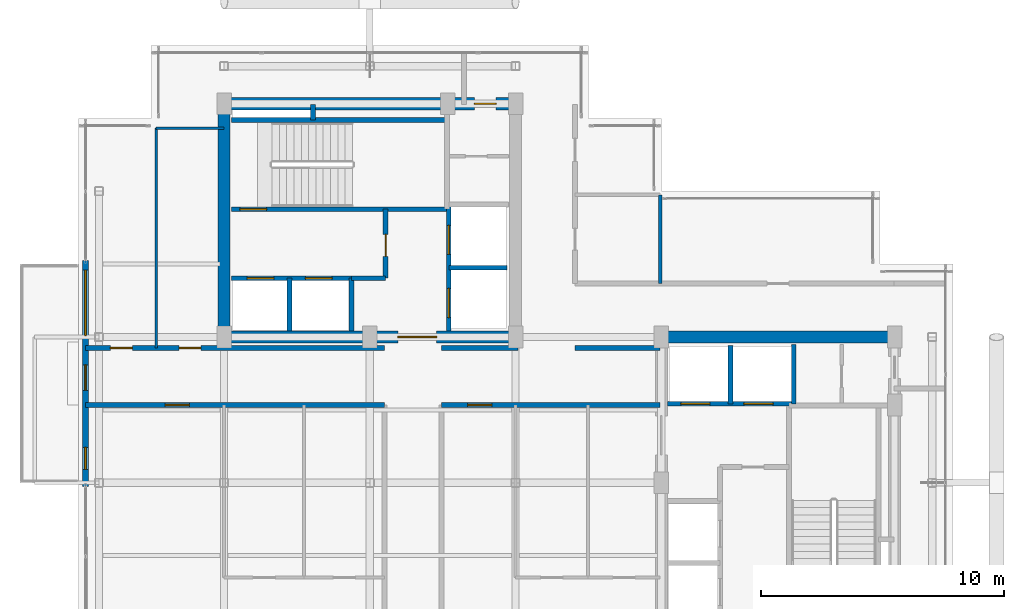
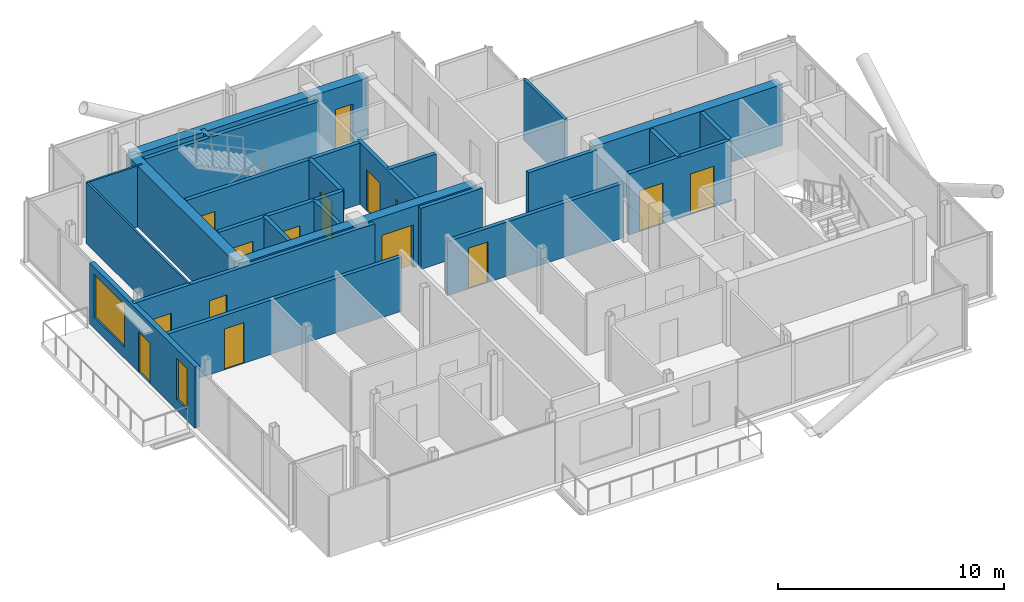
# One storey, part 15 of 18: 26 walls, 15 doors, 2 windows, 17 openings.
"""IFC4 building model written with IfcOpenShell, lengths in metres."""

from ifc_helpers import new_model, si_unit, direction, frame, frame_2d, origin, place, context, subcontext, project, spatial, rectangle, extrude, material, layer, layer_set, type_object, element, fill, save


model = new_model("IFC4")

# Units and contexts
model_context = context("Model", 3, precision=1e-05, world=origin(), true_north=direction((0.0, 1.0)))
body_context = subcontext(model_context, "Body", "Model", "MODEL_VIEW")
ifc_project = project(units=[si_unit("LENGTHUNIT", "METRE"), si_unit("AREAUNIT", "SQUARE_METRE"), si_unit("VOLUMEUNIT", "CUBIC_METRE"), si_unit("PLANEANGLEUNIT", "RADIAN"), si_unit("MASSUNIT", "GRAM", prefix="KILO"), si_unit("THERMODYNAMICTEMPERATUREUNIT", "KELVIN"), si_unit("POWERUNIT", "WATT")], contexts=[model_context])

# Site, building, storey
site_placement = place(None, origin())
site = spatial("IfcSite", under=ifc_project, at=site_placement, CompositionType="ELEMENT")
building_placement = place(site_placement, origin())
building = spatial("IfcBuilding", under=site, at=building_placement, Name="Svarakhadi Broadcast Tower", CompositionType="ELEMENT")
storey_placement = place(building_placement, frame((0.0, 0.0, 253.699951171875)))
storey = spatial("IfcBuildingStorey", under=building, at=storey_placement, Name="L63", CompositionType="ELEMENT", Elevation=253.699951171875)

# Wall, openings, door, windows
ifc_material_1 = material(Name="Concrete C40/50 (IS 456 M50)", Category="concrete")
ifc_layer_1 = layer(ifc_material_1, 0.239990234375)
ifc_layer_set_1 = layer_set([ifc_layer_1], Name="Concrete C40/50 (IS 456 M50)")
wall_type_1 = type_object("IfcWallType", Name="Wall_Ext_240", PredefinedType="SOLIDWALL", material=ifc_layer_set_1)
wall_1_placement = place(storey_placement, frame((0.300048828125, 11.85498046875, 0.0), z_axis=(0.0, 0.0, 1.0), x_axis=(0.0, 1.0, 0.0)))
wall_1 = element("IfcWall", 1, at=wall_1_placement, inside=storey, type_object=wall_type_1, Name="L63 West Tree Balcony Spandrel Wall", PredefinedType="SOLIDWALL", context=body_context, shape_type="SweptSolid", body=[
    extrude(rectangle(XDim=9.2900390625, YDim=0.239990234375, at=frame_2d((4.64501953125, 0.0))), origin(), (0.0, 0.0, 1.0), 3.300048828125),
])
opening_1_placement = place(wall_1_placement, frame((3.945068359375, 0.0, 0.0)))
opening_1 = element("IfcOpeningElement", 2, at=opening_1_placement, cuts=wall_1, Name="Opening ED-06", PredefinedType="OPENING", context=body_context, shape_type="SweptSolid", body=[
    extrude(rectangle(XDim=1.050048828125, YDim=2.199951171875, at=frame_2d((0.52490234375, 1.10009765625))), frame((0.0, 0.1298828125, 0.0), z_axis=(0.0, -1.0, 0.0), x_axis=(1.0, 0.0, 0.0)), (0.0, 0.0, 1.0), 0.260009765625),
])
opening_2_placement = place(wall_1_placement, frame((6.199951171875, 0.0, 0.60009765625)))
opening_2 = element("IfcOpeningElement", 3, at=opening_2_placement, cuts=wall_1, Name="Opening WN-07", PredefinedType="OPENING", context=body_context, shape_type="SweptSolid", body=[
    extrude(rectangle(XDim=2.699951171875, YDim=2.300048828125, at=frame_2d((1.35009765625, 1.14990234375))), frame((0.0, 0.1298828125, 0.0), z_axis=(0.0, -1.0, 0.0), x_axis=(1.0, 0.0, 0.0)), (0.0, 0.0, 1.0), 0.260009765625),
])
opening_3_placement = place(wall_1_placement, frame((0.699951171875, 0.0, 0.60009765625)))
opening_3 = element("IfcOpeningElement", 4, at=opening_3_placement, cuts=wall_1, Name="Opening WN-04", PredefinedType="OPENING", context=body_context, shape_type="SweptSolid", body=[
    extrude(rectangle(XDim=0.89990234375, YDim=2.199951171875, at=frame_2d((0.449951171875, 1.10009765625))), frame((0.0, 0.1298828125, 0.0), z_axis=(0.0, -1.0, 0.0), x_axis=(1.0, 0.0, 0.0)), (0.0, 0.0, 1.0), 0.260009765625),
])
ifc_material_2 = material(Name="Anodised Bronze Aluminium AA 6063-T6", Category="aluminium")
door_type_1 = type_object("IfcDoorType", Name="Door_Ext_ED06", OperationType="SINGLE_SWING_RIGHT", PredefinedType="DOOR", material=ifc_material_2)
door_1_placement = place(opening_1_placement, origin())
door_1 = element("IfcDoor", 5, at=door_1_placement, inside=storey, type_object=door_type_1, Name="L63 West Tree Balcony Door", OperationType="SINGLE_SWING_RIGHT", OverallHeight=2.199951171875, OverallWidth=1.050048828125, PredefinedType="DOOR", context=body_context, shape_type="SweptSolid", body=[
    extrude(rectangle(XDim=1.050048828125, YDim=2.199951171875, at=frame_2d((0.52490234375, 1.10009765625))), frame((0.0, 0.02490234375, 0.0), z_axis=(0.0, -1.0, 0.0), x_axis=(1.0, 0.0, 0.0)), (0.0, 0.0, 1.0), 0.050048828125),
])
fill(opening_1, door_1)
ifc_material_3 = material(Name="Double Low-E Laminated Acoustic Glass IGU 36 mm", Category="glass")
window_type_1 = type_object("IfcWindowType", Name="Win_Resi_WN07", PartitioningType="SINGLE_PANEL", PredefinedType="WINDOW", material=ifc_material_3)
window_1_placement = place(opening_2_placement, origin())
window_1 = element("IfcWindow", 6, at=window_1_placement, inside=storey, type_object=window_type_1, Name="L63 West Tree Balcony Window", OverallHeight=2.300048828125, OverallWidth=2.699951171875, PartitioningType="SINGLE_PANEL", PredefinedType="WINDOW", context=body_context, shape_type="SweptSolid", body=[
    extrude(rectangle(XDim=2.699951171875, YDim=2.300048828125, at=frame_2d((1.35009765625, 1.14990234375))), frame((0.0, 0.030029296875, 0.0), z_axis=(0.0, -1.0, 0.0), x_axis=(1.0, 0.0, 0.0)), (0.0, 0.0, 1.0), 0.06005859375),
])
fill(opening_2, window_1)
window_type_2 = type_object("IfcWindowType", Name="Win_Slot_WN04", PartitioningType="SINGLE_PANEL", PredefinedType="WINDOW", material=ifc_material_3)
window_2_placement = place(opening_3_placement, origin())
window_2 = element("IfcWindow", 7, at=window_2_placement, inside=storey, type_object=window_type_2, Name="L63 West Secondary Bedroom Slot Window", OverallHeight=2.199951171875, OverallWidth=0.89990234375, PartitioningType="SINGLE_PANEL", PredefinedType="WINDOW", context=body_context, shape_type="SweptSolid", body=[
    extrude(rectangle(XDim=0.89990234375, YDim=2.199951171875, at=frame_2d((0.449951171875, 1.10009765625))), frame((0.0, 0.030029296875, 0.0), z_axis=(0.0, -1.0, 0.0), x_axis=(1.0, 0.0, 0.0)), (0.0, 0.0, 1.0), 0.06005859375),
])
fill(opening_3, window_2)

# Wall
ifc_layer_2 = layer(ifc_material_1, 0.199951171875)
ifc_layer_set_2 = layer_set([ifc_layer_2], Name="Concrete C40/50 (IS 456 M50)")
wall_type_2 = type_object("IfcWallType", Name="Wall_Fire_200", PredefinedType="SOLIDWALL", material=ifc_layer_set_2)
wall_2_placement = place(storey_placement, frame((9.659912109375, 26.93994140625, 0.0), z_axis=(0.0, 0.0, 1.0), x_axis=(0.0, 1.0, 0.0)))
element("IfcWall", 8, at=wall_2_placement, inside=storey, type_object=wall_type_2, Name="L63 Wet Riser Shaft East Wall", PredefinedType="SOLIDWALL", context=body_context, shape_type="SweptSolid", body=[
    extrude(rectangle(XDim=0.64013671875, YDim=0.199951171875, at=frame_2d((0.320068359375, 0.0))), origin(), (0.0, 0.0, 1.0), 3.300048828125),
])

# Wall, opening, door
wall_3_placement = place(storey_placement, frame((12.60009765625, 15.199951171875, 0.0), z_axis=(0.0, 0.0, 1.0), x_axis=(-1.0, 0.0, 0.0)))
wall_3 = element("IfcWall", 9, at=wall_3_placement, inside=storey, type_object=wall_type_2, Name="L63 Upper Tower Concourse Wall", PredefinedType="SOLIDWALL", context=body_context, shape_type="SweptSolid", body=[
    extrude(rectangle(XDim=12.300048828125, YDim=0.199951171875, at=frame_2d((6.14990234375, 0.0))), origin(), (0.0, 0.0, 1.0), 2.93212890625),
])
opening_4_placement = place(wall_3_placement, frame((8.02490234375, 0.0, 0.0)))
opening_4 = element("IfcOpeningElement", 10, at=opening_4_placement, cuts=wall_3, Name="Opening D-09", PredefinedType="OPENING", context=body_context, shape_type="SweptSolid", body=[
    extrude(rectangle(XDim=1.0, YDim=2.199951171875, at=frame_2d((0.5, 1.10009765625))), frame((0.0, 0.10986328125, 0.0), z_axis=(0.0, -1.0, 0.0), x_axis=(1.0, 0.0, 0.0)), (0.0, 0.0, 1.0), 0.219970703125),
])
ifc_material_4 = material(Name="Solid-Core Teak Veneer Acoustic Timber Leaf", Category="wood")
door_type_2 = type_object("IfcDoorType", Name="Door_Suite_D09", OperationType="SINGLE_SWING_RIGHT", PredefinedType="DOOR", material=ifc_material_4)
door_2_placement = place(opening_4_placement, origin())
door_2 = element("IfcDoor", 11, at=door_2_placement, inside=storey, type_object=door_type_2, Name="L63 Apartment A Entrance Door", OperationType="SINGLE_SWING_RIGHT", OverallHeight=2.199951171875, OverallWidth=1.0, PredefinedType="DOOR", context=body_context, shape_type="SweptSolid", body=[
    extrude(rectangle(XDim=1.0, YDim=2.199951171875, at=frame_2d((0.5, 1.10009765625))), frame((0.0, 0.02490234375, 0.0), z_axis=(0.0, -1.0, 0.0), x_axis=(1.0, 0.0, 0.0)), (0.0, 0.0, 1.0), 0.050048828125),
])
fill(opening_4, door_2)

# Wall, openings, doors
wall_4_placement = place(storey_placement, frame((0.300048828125, 17.550048828125, 0.0), z_axis=(0.0, 0.0, 1.0), x_axis=(1.0, 0.0, 0.0)))
wall_4 = element("IfcWall", 12, at=wall_4_placement, inside=storey, type_object=wall_type_2, Name="L63 Upper Tower Concourse Wall", PredefinedType="SOLIDWALL", context=body_context, shape_type="SweptSolid", body=[
    extrude(rectangle(XDim=12.300048828125, YDim=0.199951171875, at=frame_2d((6.14990234375, 0.0))), origin(), (0.0, 0.0, 1.0), 3.300048828125),
])
opening_5_placement = place(wall_4_placement, frame((1.02490234375, 0.0, 0.0)))
opening_5 = element("IfcOpeningElement", 13, at=opening_5_placement, cuts=wall_4, Name="Opening D-15", PredefinedType="OPENING", context=body_context, shape_type="SweptSolid", body=[
    extrude(rectangle(XDim=0.89990234375, YDim=2.10009765625, at=frame_2d((0.449951171875, 1.050048828125))), frame((0.0, 0.10986328125, 0.0), z_axis=(0.0, -1.0, 0.0), x_axis=(1.0, 0.0, 0.0)), (0.0, 0.0, 1.0), 0.219970703125),
])
opening_6_placement = place(wall_4_placement, frame((3.85009765625, 0.0, 0.0)))
opening_6 = element("IfcOpeningElement", 14, at=opening_6_placement, cuts=wall_4, Name="Opening D-14", PredefinedType="OPENING", context=body_context, shape_type="SweptSolid", body=[
    extrude(rectangle(XDim=0.89990234375, YDim=2.10009765625, at=frame_2d((0.449951171875, 1.050048828125))), frame((0.0, 0.10986328125, 0.0), z_axis=(0.0, -1.0, 0.0), x_axis=(1.0, 0.0, 0.0)), (0.0, 0.0, 1.0), 0.219970703125),
])
door_type_3 = type_object("IfcDoorType", Name="Door_Int_D14", OperationType="SINGLE_SWING_LEFT", PredefinedType="DOOR", material=ifc_material_4)
door_3_placement = place(opening_6_placement, origin())
door_3 = element("IfcDoor", 15, at=door_3_placement, inside=storey, type_object=door_type_3, Name="L63 Residents Catering Kitchen Door", OperationType="SINGLE_SWING_LEFT", OverallHeight=2.10009765625, OverallWidth=0.89990234375, PredefinedType="DOOR", context=body_context, shape_type="SweptSolid", body=[
    extrude(rectangle(XDim=0.89990234375, YDim=2.10009765625, at=frame_2d((0.449951171875, 1.050048828125))), frame((0.0, 0.02490234375, 0.0), z_axis=(0.0, -1.0, 0.0), x_axis=(1.0, 0.0, 0.0)), (0.0, 0.0, 1.0), 0.050048828125),
])
fill(opening_6, door_3)
door_type_4 = type_object("IfcDoorType", Name="Door_Int_D15", OperationType="SINGLE_SWING_RIGHT", PredefinedType="DOOR", material=ifc_material_4)
door_4_placement = place(opening_5_placement, origin())
door_4 = element("IfcDoor", 16, at=door_4_placement, inside=storey, type_object=door_type_4, Name="L63 Residents Private Dining Salon Door", OperationType="SINGLE_SWING_RIGHT", OverallHeight=2.10009765625, OverallWidth=0.89990234375, PredefinedType="DOOR", context=body_context, shape_type="SweptSolid", body=[
    extrude(rectangle(XDim=0.89990234375, YDim=2.10009765625, at=frame_2d((0.449951171875, 1.050048828125))), frame((0.0, 0.02490234375, 0.0), z_axis=(0.0, -1.0, 0.0), x_axis=(1.0, 0.0, 0.0)), (0.0, 0.0, 1.0), 0.050048828125),
])
fill(opening_5, door_4)

# Walls
wall_5_placement = place(storey_placement, frame((14.949951171875, 17.550048828125, 0.0), z_axis=(0.0, 0.0, 1.0), x_axis=(1.0, 0.0, 0.0)))
element("IfcWall", 17, at=wall_5_placement, inside=storey, type_object=wall_type_2, Name="L63 Upper Tower Concourse Wall", PredefinedType="SOLIDWALL", context=body_context, shape_type="SweptSolid", body=[
    extrude(rectangle(XDim=3.150146484375, YDim=0.199951171875, at=frame_2d((1.5751953125, 0.0))), origin(), (0.0, 0.0, 1.0), 3.300048828125),
])
wall_6_placement = place(storey_placement, frame((20.449951171875, 17.550048828125, 0.0), z_axis=(0.0, 0.0, 1.0), x_axis=(1.0, 0.0, 0.0)))
element("IfcWall", 18, at=wall_6_placement, inside=storey, type_object=wall_type_2, Name="L63 Upper Tower Concourse Wall", PredefinedType="SOLIDWALL", context=body_context, shape_type="SweptSolid", body=[
    extrude(rectangle(XDim=3.5, YDim=0.199951171875, at=frame_2d((1.75, 0.0))), origin(), (0.0, 0.0, 1.0), 3.300048828125),
])

# Wall, opening, door
wall_7_placement = place(storey_placement, frame((23.949951171875, 15.199951171875, 0.0), z_axis=(0.0, 0.0, 1.0), x_axis=(-1.0, 0.0, 0.0)))
wall_7 = element("IfcWall", 19, at=wall_7_placement, inside=storey, type_object=wall_type_2, Name="L63 Upper Tower Concourse Wall", PredefinedType="SOLIDWALL", context=body_context, shape_type="SweptSolid", body=[
    extrude(rectangle(XDim=9.0, YDim=0.199951171875, at=frame_2d((4.5, 0.0))), origin(), (0.0, 0.0, 1.0), 2.93212890625),
])
opening_7_placement = place(wall_7_placement, frame((6.925048828125, 0.0, 0.0)))
opening_7 = element("IfcOpeningElement", 20, at=opening_7_placement, cuts=wall_7, Name="Opening D-09", PredefinedType="OPENING", context=body_context, shape_type="SweptSolid", body=[
    extrude(rectangle(XDim=1.0, YDim=2.199951171875, at=frame_2d((0.5, 1.10009765625))), frame((0.0, 0.10986328125, 0.0), z_axis=(0.0, -1.0, 0.0), x_axis=(1.0, 0.0, 0.0)), (0.0, 0.0, 1.0), 0.219970703125),
])
door_5_placement = place(opening_7_placement, origin())
door_5 = element("IfcDoor", 21, at=door_5_placement, inside=storey, type_object=door_type_2, Name="L63 Apartment B Entrance Door", OperationType="SINGLE_SWING_RIGHT", OverallHeight=2.199951171875, OverallWidth=1.0, PredefinedType="DOOR", context=body_context, shape_type="SweptSolid", body=[
    extrude(rectangle(XDim=1.0, YDim=2.199951171875, at=frame_2d((0.5, 1.10009765625))), frame((0.0, 0.02490234375, 0.0), z_axis=(0.0, -1.0, 0.0), x_axis=(1.0, 0.0, 0.0)), (0.0, 0.0, 1.0), 0.050048828125),
])
fill(opening_7, door_5)

# Walls
ifc_material_5 = material(Name="Fire-Rated Moisture-Resistant Gypsum Board Partition", Category="gypsum")
ifc_layer_3 = layer(ifc_material_5, 0.10009765625)
ifc_layer_set_3 = layer_set([ifc_layer_3], Name="Fire-Rated Moisture-Resistant Gypsum Board Partition")
wall_type_3 = type_object("IfcWallType", Name="Wall_Part_100", PredefinedType="PARTITIONING", material=ifc_layer_set_3)
wall_8_placement = place(storey_placement, frame((3.199951171875, 17.550048828125, 0.0), z_axis=(0.0, 0.0, 1.0), x_axis=(0.0, 1.0, 0.0)))
element("IfcWall", 22, at=wall_8_placement, inside=storey, type_object=wall_type_3, Name="L63 Residents Private Dining Salon Wall", PredefinedType="PARTITIONING", context=body_context, shape_type="SweptSolid", body=[
    extrude(rectangle(XDim=9.050048828125, YDim=0.10009765625, at=frame_2d((4.52490234375, 0.0))), origin(), (0.0, 0.0, 1.0), 3.300048828125),
])
wall_9_placement = place(storey_placement, frame((3.199951171875, 26.60009765625, 0.0), z_axis=(0.0, 0.0, 1.0), x_axis=(1.0, 0.0, 0.0)))
element("IfcWall", 23, at=wall_9_placement, inside=storey, type_object=wall_type_3, Name="L63 Residents Catering Kitchen Wall", PredefinedType="PARTITIONING", context=body_context, shape_type="SweptSolid", body=[
    extrude(rectangle(XDim=2.800048828125, YDim=0.10009765625, at=frame_2d((1.39990234375, 0.0))), origin(), (0.0, 0.0, 1.0), 3.300048828125),
])
ifc_material_6 = material(Name="Autoclaved Aerated Concrete Blockwork 150 mm", Category="masonry")
ifc_layer_4 = layer(ifc_material_6, 0.14990234375)
ifc_layer_set_4 = layer_set([ifc_layer_4], Name="Autoclaved Aerated Concrete Blockwork 150 mm")
wall_type_4 = type_object("IfcWallType", Name="Wall_Part_150", PredefinedType="PARTITIONING", material=ifc_layer_set_4)
wall_10_placement = place(storey_placement, frame((23.949951171875, 20.199951171875, 0.0), z_axis=(0.0, 0.0, 1.0), x_axis=(0.0, 1.0, 0.0)))
element("IfcWall", 24, at=wall_10_placement, inside=storey, type_object=wall_type_4, Name="L63 Accessible Visitor Washroom WC Wall", PredefinedType="PARTITIONING", context=body_context, shape_type="SweptSolid", body=[
    extrude(rectangle(XDim=3.650146484375, YDim=0.14990234375, at=frame_2d((1.8251953125, 0.0))), origin(), (0.0, 0.0, 1.0), 3.300048828125),
])

# Wall, opening, door
ifc_material_7 = material(Name="Concrete C50/60 (IS 456 M60)", Category="concrete")
ifc_layer_5 = layer(ifc_material_7, 0.199951171875)
ifc_layer_set_5 = layer_set([ifc_layer_5], Name="Concrete C50/60 (IS 456 M60)")
wall_type_5 = type_object("IfcWallType", Name="Wall_Shear_200", PredefinedType="SHEAR", material=ifc_layer_set_5)
wall_11_placement = place(storey_placement, frame((6.300048828125, 23.260009765625, 0.0), z_axis=(0.0, 0.0, 1.0), x_axis=(1.0, 0.0, 0.0)))
wall_11 = element("IfcWall", 25, at=wall_11_placement, inside=storey, type_object=wall_type_5, Name="L63 Stair ST-01 South RC Shaft Wall", PredefinedType="SHEAR", context=body_context, shape_type="SweptSolid", body=[
    extrude(rectangle(XDim=8.8798828125, YDim=0.199951171875, at=frame_2d((4.43994140625, 0.0))), origin(), (0.0, 0.0, 1.0), 3.300048828125),
])
opening_8_placement = place(wall_11_placement, frame((0.35009765625, 0.0, 0.0)))
opening_8 = element("IfcOpeningElement", 26, at=opening_8_placement, cuts=wall_11, Name="Opening D-01", PredefinedType="OPENING", context=body_context, shape_type="SweptSolid", body=[
    extrude(rectangle(XDim=1.10009765625, YDim=2.199951171875, at=frame_2d((0.550048828125, 1.10009765625))), frame((0.0, 0.10986328125, 0.0), z_axis=(0.0, -1.0, 0.0), x_axis=(1.0, 0.0, 0.0)), (0.0, 0.0, 1.0), 0.219970703125),
])
ifc_material_8 = material(Name="Galvanised Powder-Coated Fire-Rated Steel Leaf", Category="steel")
door_type_5 = type_object("IfcDoorType", Name="Door_Stair_D01", OperationType="SINGLE_SWING_LEFT", PredefinedType="DOOR", material=ifc_material_8)
door_6_placement = place(opening_8_placement, origin())
door_6 = element("IfcDoor", 27, at=door_6_placement, inside=storey, type_object=door_type_5, Name="L63 Protected Exit Stair ST-01 Fire Door", OperationType="SINGLE_SWING_LEFT", OverallHeight=2.199951171875, OverallWidth=1.10009765625, PredefinedType="DOOR", context=body_context, shape_type="SweptSolid", body=[
    extrude(rectangle(XDim=1.10009765625, YDim=2.199951171875, at=frame_2d((0.550048828125, 1.10009765625))), frame((0.0, 0.02490234375, 0.0), z_axis=(0.0, -1.0, 0.0), x_axis=(1.0, 0.0, 0.0)), (0.0, 0.0, 1.0), 0.050048828125),
])
fill(opening_8, door_6)

# Wall
wall_12_placement = place(storey_placement, frame((6.300048828125, 26.93994140625, 0.0), z_axis=(0.0, 0.0, 1.0), x_axis=(1.0, 0.0, 0.0)))
element("IfcWall", 28, at=wall_12_placement, inside=storey, type_object=wall_type_5, Name="L63 Stair ST-01 North RC Shaft Wall", PredefinedType="SHEAR", context=body_context, shape_type="SweptSolid", body=[
    extrude(rectangle(XDim=8.8798828125, YDim=0.199951171875, at=frame_2d((4.43994140625, 0.0))), origin(), (0.0, 0.0, 1.0), 3.300048828125),
])

# Wall, openings, doors
wall_13_placement = place(storey_placement, frame((6.300048828125, 20.419921875, 0.0), z_axis=(0.0, 0.0, 1.0), x_axis=(1.0, 0.0, 0.0)))
wall_13 = element("IfcWall", 29, at=wall_13_placement, inside=storey, type_object=wall_type_5, Name="L63 Firefighting Lift LF-01/02 Shaft Wall", PredefinedType="SHEAR", context=body_context, shape_type="SweptSolid", body=[
    extrude(rectangle(XDim=4.949951171875, YDim=0.199951171875, at=frame_2d((2.47509765625, 0.0))), origin(), (0.0, 0.0, 1.0), 3.300048828125),
])
opening_9_placement = place(wall_13_placement, frame((0.64990234375, 0.0, 0.0)))
opening_9 = element("IfcOpeningElement", 30, at=opening_9_placement, cuts=wall_13, Name="Opening LD-01", PredefinedType="OPENING", context=body_context, shape_type="SweptSolid", body=[
    extrude(rectangle(XDim=1.10009765625, YDim=2.199951171875, at=frame_2d((0.550048828125, 1.10009765625))), frame((0.0, 0.10986328125, 0.0), z_axis=(0.0, -1.0, 0.0), x_axis=(1.0, 0.0, 0.0)), (0.0, 0.0, 1.0), 0.219970703125),
])
opening_10_placement = place(wall_13_placement, frame((3.050048828125, 0.0, 0.0)))
opening_10 = element("IfcOpeningElement", 31, at=opening_10_placement, cuts=wall_13, Name="Opening LD-01", PredefinedType="OPENING", context=body_context, shape_type="SweptSolid", body=[
    extrude(rectangle(XDim=1.10009765625, YDim=2.199951171875, at=frame_2d((0.550048828125, 1.10009765625))), frame((0.0, 0.10986328125, 0.0), z_axis=(0.0, -1.0, 0.0), x_axis=(1.0, 0.0, 0.0)), (0.0, 0.0, 1.0), 0.219970703125),
])
door_type_6 = type_object("IfcDoorType", Name="Door_Lift_LD01", OperationType="SLIDING_TO_LEFT", PredefinedType="DOOR", material=ifc_material_8)
door_7_placement = place(opening_9_placement, origin())
door_7 = element("IfcDoor", 32, at=door_7_placement, inside=storey, type_object=door_type_6, Name="L63 Firefighting Lift LF-01 Landing Door", OperationType="SLIDING_TO_LEFT", OverallHeight=2.199951171875, OverallWidth=1.10009765625, PredefinedType="DOOR", context=body_context, shape_type="SweptSolid", body=[
    extrude(rectangle(XDim=1.10009765625, YDim=2.199951171875, at=frame_2d((0.550048828125, 1.10009765625))), frame((0.0, 0.02490234375, 0.0), z_axis=(0.0, -1.0, 0.0), x_axis=(1.0, 0.0, 0.0)), (0.0, 0.0, 1.0), 0.050048828125),
])
fill(opening_9, door_7)
door_8_placement = place(opening_10_placement, origin())
door_8 = element("IfcDoor", 33, at=door_8_placement, inside=storey, type_object=door_type_6, Name="L63 Firefighting Lift LF-02 Landing Door", OperationType="SLIDING_TO_LEFT", OverallHeight=2.199951171875, OverallWidth=1.10009765625, PredefinedType="DOOR", context=body_context, shape_type="SweptSolid", body=[
    extrude(rectangle(XDim=1.10009765625, YDim=2.199951171875, at=frame_2d((0.550048828125, 1.10009765625))), frame((0.0, 0.02490234375, 0.0), z_axis=(0.0, -1.0, 0.0), x_axis=(1.0, 0.0, 0.0)), (0.0, 0.0, 1.0), 0.050048828125),
])
fill(opening_10, door_8)

# Walls
for number, where, z_axis, x_axis, name in (
    (34, (8.699951171875, 18.25, 0.0), (0.0, 0.0, 1.0), (0.0, 1.0, 0.0), "L63 Firefighting Lift LF-01/02 Divider Wall"),
    (35, (11.25, 18.25, 0.0), (0.0, 0.0, 1.0), (0.0, 1.0, 0.0), "L63 Firefighting Lift LF-02 East Wall"),
):
    element("IfcWall", number, at=place(storey_placement, frame(where, z_axis=z_axis, x_axis=x_axis)), inside=storey, type_object=wall_type_5, Name=name, PredefinedType="SHEAR", context=body_context, shape_type="SweptSolid", body=[
        extrude(rectangle(XDim=2.169921875, YDim=0.199951171875, at=frame_2d((1.0849609375, 0.0))), origin(), (0.0, 0.0, 1.0), 3.300048828125),
    ])
wall_14_placement = place(storey_placement, frame((11.25, 20.419921875, 0.0), z_axis=(0.0, 0.0, 1.0), x_axis=(1.0, 0.0, 0.0)))
element("IfcWall", 36, at=wall_14_placement, inside=storey, type_object=wall_type_5, Name="L63 West Firefighting Lobby South Wall", PredefinedType="SHEAR", context=body_context, shape_type="SweptSolid", body=[
    extrude(rectangle(XDim=1.39990234375, YDim=0.199951171875, at=frame_2d((0.699951171875, 0.0))), origin(), (0.0, 0.0, 1.0), 3.300048828125),
])

# Wall, opening, door
wall_15_placement = place(storey_placement, frame((12.64990234375, 20.419921875, 0.0), z_axis=(0.0, 0.0, 1.0), x_axis=(0.0, 1.0, 0.0)))
wall_15 = element("IfcWall", 37, at=wall_15_placement, inside=storey, type_object=wall_type_5, Name="L63 West Firefighting Lobby East Wall", PredefinedType="SHEAR", context=body_context, shape_type="SweptSolid", body=[
    extrude(rectangle(XDim=2.840087890625, YDim=0.199951171875, at=frame_2d((1.419921875, 0.0))), origin(), (0.0, 0.0, 1.0), 3.300048828125),
])
opening_11_placement = place(wall_15_placement, frame((0.89990234375, 0.0, 0.0)))
opening_11 = element("IfcOpeningElement", 38, at=opening_11_placement, cuts=wall_15, Name="Opening D-04", PredefinedType="OPENING", context=body_context, shape_type="SweptSolid", body=[
    extrude(rectangle(XDim=0.89990234375, YDim=2.14990234375, at=frame_2d((0.449951171875, 1.074951171875))), frame((0.0, 0.10986328125, 0.0), z_axis=(0.0, -1.0, 0.0), x_axis=(1.0, 0.0, 0.0)), (0.0, 0.0, 1.0), 0.219970703125),
])
door_type_7 = type_object("IfcDoorType", Name="Door_Fire_D04", OperationType="SINGLE_SWING_RIGHT", PredefinedType="DOOR", material=ifc_material_8)
door_9_placement = place(opening_11_placement, origin())
door_9 = element("IfcDoor", 39, at=door_9_placement, inside=storey, type_object=door_type_7, Name="L63 West Firefighting Lobby Fire Door", OperationType="SINGLE_SWING_RIGHT", OverallHeight=2.14990234375, OverallWidth=0.89990234375, PredefinedType="DOOR", context=body_context, shape_type="SweptSolid", body=[
    extrude(rectangle(XDim=0.89990234375, YDim=2.14990234375, at=frame_2d((0.449951171875, 1.074951171875))), frame((0.0, 0.02490234375, 0.0), z_axis=(0.0, -1.0, 0.0), x_axis=(1.0, 0.0, 0.0)), (0.0, 0.0, 1.0), 0.050048828125),
])
fill(opening_11, door_9)

# Wall, openings, doors
wall_16_placement = place(storey_placement, frame((15.25, 18.25, 0.0), z_axis=(0.0, 0.0, 1.0), x_axis=(0.0, 1.0, 0.0)))
wall_16 = element("IfcWall", 40, at=wall_16_placement, inside=storey, type_object=wall_type_5, Name="L63 High-Rise Lift LF-13/14 West Shaft Wall", PredefinedType="SHEAR", context=body_context, shape_type="SweptSolid", body=[
    extrude(rectangle(XDim=5.199951171875, YDim=0.199951171875, at=frame_2d((2.60009765625, 0.0))), origin(), (0.0, 0.0, 1.0), 3.300048828125),
])
opening_12_placement = place(wall_16_placement, frame((0.550048828125, 0.0, 0.0)))
opening_12 = element("IfcOpeningElement", 41, at=opening_12_placement, cuts=wall_16, Name="Opening LD-02", PredefinedType="OPENING", context=body_context, shape_type="SweptSolid", body=[
    extrude(rectangle(XDim=1.199951171875, YDim=2.199951171875, at=frame_2d((0.60009765625, 1.10009765625))), frame((0.0, 0.10986328125, 0.0), z_axis=(0.0, -1.0, 0.0), x_axis=(1.0, 0.0, 0.0)), (0.0, 0.0, 1.0), 0.219970703125),
])
opening_13_placement = place(wall_16_placement, frame((3.14990234375, 0.0, 0.0)))
opening_13 = element("IfcOpeningElement", 42, at=opening_13_placement, cuts=wall_16, Name="Opening LD-02", PredefinedType="OPENING", context=body_context, shape_type="SweptSolid", body=[
    extrude(rectangle(XDim=1.199951171875, YDim=2.199951171875, at=frame_2d((0.60009765625, 1.10009765625))), frame((0.0, 0.10986328125, 0.0), z_axis=(0.0, -1.0, 0.0), x_axis=(1.0, 0.0, 0.0)), (0.0, 0.0, 1.0), 0.219970703125),
])
door_type_8 = type_object("IfcDoorType", Name="Door_Lift_LD02", OperationType="SLIDING_TO_RIGHT", PredefinedType="DOOR", material=ifc_material_8)
door_10_placement = place(opening_12_placement, origin())
door_10 = element("IfcDoor", 43, at=door_10_placement, inside=storey, type_object=door_type_8, Name="L63 High-Rise Lift LF-13 Landing Door", OperationType="SLIDING_TO_RIGHT", OverallHeight=2.199951171875, OverallWidth=1.199951171875, PredefinedType="DOOR", context=body_context, shape_type="SweptSolid", body=[
    extrude(rectangle(XDim=1.199951171875, YDim=2.199951171875, at=frame_2d((0.60009765625, 1.10009765625))), frame((0.0, 0.02490234375, 0.0), z_axis=(0.0, -1.0, 0.0), x_axis=(1.0, 0.0, 0.0)), (0.0, 0.0, 1.0), 0.050048828125),
])
fill(opening_12, door_10)
door_11_placement = place(opening_13_placement, origin())
door_11 = element("IfcDoor", 44, at=door_11_placement, inside=storey, type_object=door_type_8, Name="L63 High-Rise Lift LF-14 Landing Door", OperationType="SLIDING_TO_RIGHT", OverallHeight=2.199951171875, OverallWidth=1.199951171875, PredefinedType="DOOR", context=body_context, shape_type="SweptSolid", body=[
    extrude(rectangle(XDim=1.199951171875, YDim=2.199951171875, at=frame_2d((0.60009765625, 1.10009765625))), frame((0.0, 0.02490234375, 0.0), z_axis=(0.0, -1.0, 0.0), x_axis=(1.0, 0.0, 0.0)), (0.0, 0.0, 1.0), 0.050048828125),
])
fill(opening_13, door_11)

# Wall
wall_17_placement = place(storey_placement, frame((15.25, 20.85009765625, 0.0), z_axis=(0.0, 0.0, 1.0), x_axis=(1.0, 0.0, 0.0)))
element("IfcWall", 45, at=wall_17_placement, inside=storey, type_object=wall_type_5, Name="L63 High-Rise Lift LF-13/14 Divider", PredefinedType="SHEAR", context=body_context, shape_type="SweptSolid", body=[
    extrude(rectangle(XDim=2.39990234375, YDim=0.199951171875, at=frame_2d((1.199951171875, 0.0))), origin(), (0.0, 0.0, 1.0), 3.300048828125),
])

# Wall, openings, doors
wall_18_placement = place(storey_placement, frame((24.25, 15.25, 0.0), z_axis=(0.0, 0.0, 1.0), x_axis=(1.0, 0.0, 0.0)))
wall_18 = element("IfcWall", 46, at=wall_18_placement, inside=storey, type_object=wall_type_5, Name="L63 High-Rise Lift LF-15/16 South Shaft Wall", PredefinedType="SHEAR", context=body_context, shape_type="SweptSolid", body=[
    extrude(rectangle(XDim=5.199951171875, YDim=0.199951171875, at=frame_2d((2.60009765625, 0.0))), origin(), (0.0, 0.0, 1.0), 3.300048828125),
])
opening_14_placement = place(wall_18_placement, frame((0.550048828125, 0.0, 0.0)))
opening_14 = element("IfcOpeningElement", 47, at=opening_14_placement, cuts=wall_18, Name="Opening LD-02", PredefinedType="OPENING", context=body_context, shape_type="SweptSolid", body=[
    extrude(rectangle(XDim=1.199951171875, YDim=2.199951171875, at=frame_2d((0.60009765625, 1.10009765625))), frame((0.0, 0.10986328125, 0.0), z_axis=(0.0, -1.0, 0.0), x_axis=(1.0, 0.0, 0.0)), (0.0, 0.0, 1.0), 0.219970703125),
])
opening_15_placement = place(wall_18_placement, frame((3.14990234375, 0.0, 0.0)))
opening_15 = element("IfcOpeningElement", 48, at=opening_15_placement, cuts=wall_18, Name="Opening LD-02", PredefinedType="OPENING", context=body_context, shape_type="SweptSolid", body=[
    extrude(rectangle(XDim=1.199951171875, YDim=2.199951171875, at=frame_2d((0.60009765625, 1.10009765625))), frame((0.0, 0.10986328125, 0.0), z_axis=(0.0, -1.0, 0.0), x_axis=(1.0, 0.0, 0.0)), (0.0, 0.0, 1.0), 0.219970703125),
])
door_12_placement = place(opening_14_placement, origin())
door_12 = element("IfcDoor", 49, at=door_12_placement, inside=storey, type_object=door_type_8, Name="L63 High-Rise Lift LF-15 Landing Door", OperationType="SLIDING_TO_RIGHT", OverallHeight=2.199951171875, OverallWidth=1.199951171875, PredefinedType="DOOR", context=body_context, shape_type="SweptSolid", body=[
    extrude(rectangle(XDim=1.199951171875, YDim=2.199951171875, at=frame_2d((0.60009765625, 1.10009765625))), frame((0.0, 0.02490234375, 0.0), z_axis=(0.0, -1.0, 0.0), x_axis=(1.0, 0.0, 0.0)), (0.0, 0.0, 1.0), 0.050048828125),
])
fill(opening_14, door_12)
door_13_placement = place(opening_15_placement, origin())
door_13 = element("IfcDoor", 50, at=door_13_placement, inside=storey, type_object=door_type_8, Name="L63 High-Rise Lift LF-16 Landing Door", OperationType="SLIDING_TO_RIGHT", OverallHeight=2.199951171875, OverallWidth=1.199951171875, PredefinedType="DOOR", context=body_context, shape_type="SweptSolid", body=[
    extrude(rectangle(XDim=1.199951171875, YDim=2.199951171875, at=frame_2d((0.60009765625, 1.10009765625))), frame((0.0, 0.02490234375, 0.0), z_axis=(0.0, -1.0, 0.0), x_axis=(1.0, 0.0, 0.0)), (0.0, 0.0, 1.0), 0.050048828125),
])
fill(opening_15, door_13)

# Walls
wall_19_placement = place(storey_placement, frame((26.85009765625, 15.25, 0.0), z_axis=(0.0, 0.0, 1.0), x_axis=(0.0, 1.0, 0.0)))
element("IfcWall", 51, at=wall_19_placement, inside=storey, type_object=wall_type_5, Name="L63 High-Rise Lift LF-15/16 Divider", PredefinedType="SHEAR", context=body_context, shape_type="SweptSolid", body=[
    extrude(rectangle(XDim=2.39990234375, YDim=0.199951171875, at=frame_2d((1.199951171875, 0.0))), origin(), (0.0, 0.0, 1.0), 3.300048828125),
])
wall_20_placement = place(storey_placement, frame((29.449951171875, 15.25, 0.0), z_axis=(0.0, 0.0, 1.0), x_axis=(0.0, 1.0, 0.0)))
element("IfcWall", 52, at=wall_20_placement, inside=storey, type_object=wall_type_5, Name="L63 High-Rise Lift LF-15/16 East Wall", PredefinedType="SHEAR", context=body_context, shape_type="SweptSolid", body=[
    extrude(rectangle(XDim=2.449951171875, YDim=0.199951171875, at=frame_2d((1.22509765625, 0.0))), origin(), (0.0, 0.0, 1.0), 3.300048828125),
])

# Wall, opening, door
ifc_layer_6 = layer(ifc_material_7, 0.5)
ifc_layer_set_6 = layer_set([ifc_layer_6], Name="Concrete C50/60 (IS 456 M60)")
wall_type_6 = type_object("IfcWallType", Name="Wall_Shear_500", PredefinedType="SHEAR", material=ifc_layer_set_6)
wall_21_placement = place(storey_placement, frame((6.0, 18.0, 0.0), z_axis=(0.0, 0.0, 1.0), x_axis=(1.0, 0.0, 0.0)))
wall_21 = element("IfcWall", 53, at=wall_21_placement, inside=storey, type_object=wall_type_6, Name="L63 West Core South Shear Wall", PredefinedType="SHEAR", context=body_context, shape_type="SweptSolid", body=[
    extrude(rectangle(XDim=12.0, YDim=0.5, at=frame_2d((6.0, 0.0))), origin(), (0.0, 0.0, 1.0), 3.300048828125),
])
opening_16_placement = place(wall_21_placement, frame((7.14990234375, 0.0, 0.0)))
opening_16 = element("IfcOpeningElement", 54, at=opening_16_placement, cuts=wall_21, Name="Opening D-05", PredefinedType="OPENING", context=body_context, shape_type="SweptSolid", body=[
    extrude(rectangle(XDim=1.60009765625, YDim=2.300048828125, at=frame_2d((0.800048828125, 1.14990234375))), frame((0.0, 0.260009765625, 0.0), z_axis=(0.0, -1.0, 0.0), x_axis=(1.0, 0.0, 0.0)), (0.0, 0.0, 1.0), 0.52001953125),
])
door_type_9 = type_object("IfcDoorType", Name="Door_Lobby_D05", OperationType="DOUBLE_DOOR_SLIDING", PredefinedType="DOOR", material=ifc_material_2)
door_14_placement = place(opening_16_placement, origin())
door_14 = element("IfcDoor", 55, at=door_14_placement, inside=storey, type_object=door_type_9, Name="L63 West Core Passenger Lift Lobby Entrance Door", OperationType="DOUBLE_DOOR_SLIDING", OverallHeight=2.300048828125, OverallWidth=1.60009765625, PredefinedType="DOOR", context=body_context, shape_type="SweptSolid", body=[
    extrude(rectangle(XDim=1.60009765625, YDim=2.300048828125, at=frame_2d((0.800048828125, 1.14990234375))), frame((0.0, 0.02490234375, 0.0), z_axis=(0.0, -1.0, 0.0), x_axis=(1.0, 0.0, 0.0)), (0.0, 0.0, 1.0), 0.050048828125),
])
fill(opening_16, door_14)

wall_22_placement = place(storey_placement, frame((6.0, 27.60009765625, 0.0), z_axis=(0.0, 0.0, 1.0), x_axis=(1.0, 0.0, 0.0)))
wall_22 = element("IfcWall", 56, at=wall_22_placement, inside=storey, type_object=wall_type_6, Name="L63 West Core North Shear Wall", PredefinedType="SHEAR", context=body_context, shape_type="SweptSolid", body=[
    extrude(rectangle(XDim=12.0, YDim=0.5, at=frame_2d((6.0, 0.0))), origin(), (0.0, 0.0, 1.0), 3.300048828125),
])
opening_17_placement = place(wall_22_placement, frame((10.300048828125, 0.0, 0.0)))
opening_17 = element("IfcOpeningElement", 57, at=opening_17_placement, cuts=wall_22, Name="Opening D-03", PredefinedType="OPENING", context=body_context, shape_type="SweptSolid", body=[
    extrude(rectangle(XDim=0.89990234375, YDim=2.14990234375, at=frame_2d((0.449951171875, 1.074951171875))), frame((0.0, 0.260009765625, 0.0), z_axis=(0.0, -1.0, 0.0), x_axis=(1.0, 0.0, 0.0)), (0.0, 0.0, 1.0), 0.52001953125),
])
door_type_10 = type_object("IfcDoorType", Name="Door_Fire_D03", OperationType="SINGLE_SWING_LEFT", PredefinedType="DOOR", material=ifc_material_8)
door_15_placement = place(opening_17_placement, origin())
door_15 = element("IfcDoor", 58, at=door_15_placement, inside=storey, type_object=door_type_10, Name="L63 West Core Store A Door", OperationType="SINGLE_SWING_LEFT", OverallHeight=2.14990234375, OverallWidth=0.89990234375, PredefinedType="DOOR", context=body_context, shape_type="SweptSolid", body=[
    extrude(rectangle(XDim=0.89990234375, YDim=2.14990234375, at=frame_2d((0.449951171875, 1.074951171875))), frame((0.0, 0.02490234375, 0.0), z_axis=(0.0, -1.0, 0.0), x_axis=(1.0, 0.0, 0.0)), (0.0, 0.0, 1.0), 0.050048828125),
])
fill(opening_17, door_15)

# Walls
for number, where, z_axis, x_axis, name in (
    (59, (6.0, 18.0, 0.0), (0.0, 0.0, 1.0), (0.0, 1.0, 0.0), "L63 West Core West Shear Wall"),
    (60, (24.0, 18.0, 0.0), (0.0, 0.0, 1.0), (1.0, 0.0, 0.0), "L63 East Core North Shear Wall"),
):
    element("IfcWall", number, at=place(storey_placement, frame(where, z_axis=z_axis, x_axis=x_axis)), inside=storey, type_object=wall_type_6, Name=name, PredefinedType="SHEAR", context=body_context, shape_type="SweptSolid", body=[
        extrude(rectangle(XDim=9.60009765625, YDim=0.5, at=frame_2d((4.800048828125, 0.0))), origin(), (0.0, 0.0, 1.0), 3.300048828125),
    ])

save(model, "model.ifc")
